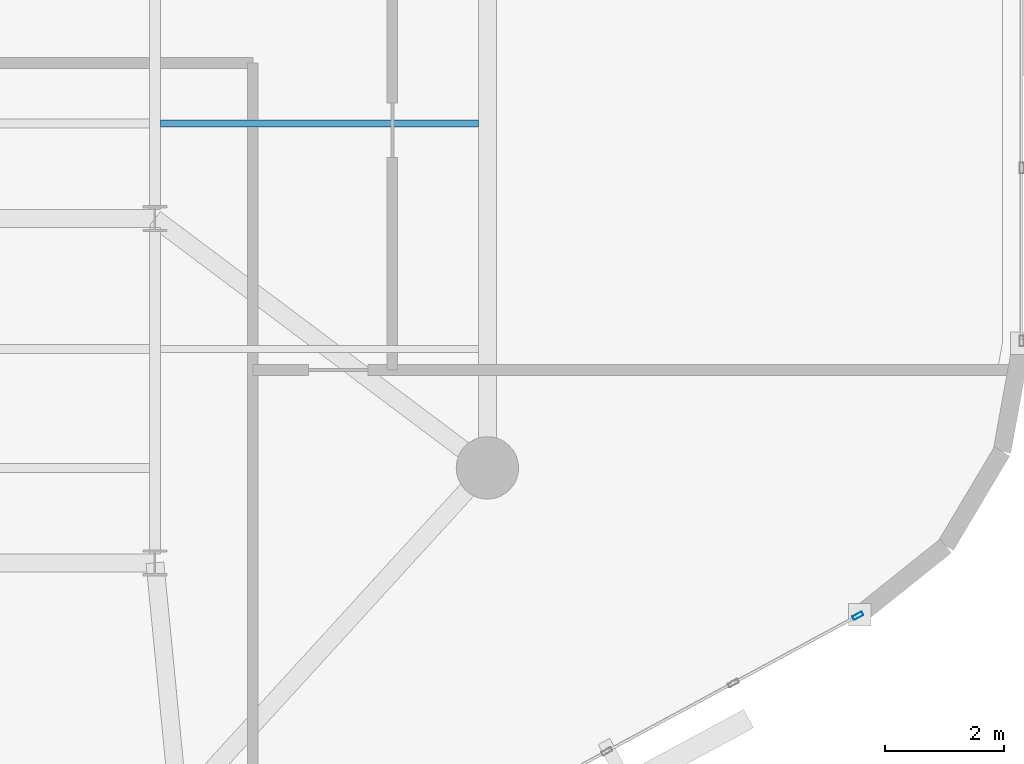
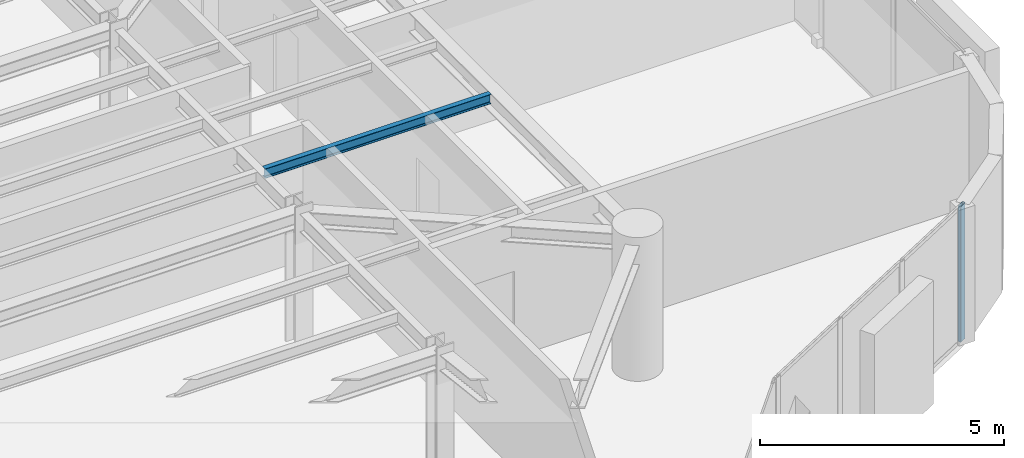
# One storey, part 3 of 13: 1 beam, 1 member, 1 element without a shape of its own.
"""IFC4 building model written with IfcOpenShell, lengths in metres."""

import ifcopenshell
import ifcopenshell.guid

model = None  # the IFC model being written
_history = None  # IfcOwnerHistory: only IFC2X3 demands one
_inside = {}  # id of a spatial element -> (the spatial element, [elements in it])
_under = {}  # id of a project, library or spatial element -> (it, [spatial elements below it])
_declared = {}  # id of a project -> (the project, [libraries it declares])
_typed = {}  # id of a type object -> (the type object, [elements of that type])
_made_of = {}  # id of a material, layer set ... -> (it, [elements and type objects made of it])


def new_model(schema):
    """Start an empty IFC model of exactly this schema.

    Asked for "IFC4X3", IfcOpenShell would pick the latest addendum, in which some entities
    have other attributes; the version numbers below select the first issue.
    IFC2X3 requires an IfcOwnerHistory on every rooted entity: one is made here for all.
    """
    global model, _history
    if schema == "IFC4X3":
        model = ifcopenshell.file(schema_version=(4, 3, 0, 0))
    else:
        model = ifcopenshell.file(schema=schema)
    _inside.clear()
    _under.clear()
    _declared.clear()
    _typed.clear()
    _made_of.clear()
    _history = None
    if model.schema == "IFC2X3":
        org = make("IfcOrganization", Name="unknown")
        user = make(
            "IfcPersonAndOrganization",
            ThePerson=make("IfcPerson", FamilyName="unknown"),
            TheOrganization=org,
        )
        app = make(
            "IfcApplication",
            ApplicationDeveloper=org,
            Version="unknown",
            ApplicationFullName="unknown",
            ApplicationIdentifier="unknown",
        )
        _history = make(
            "IfcOwnerHistory",
            OwningUser=user,
            OwningApplication=app,
            ChangeAction="ADDED",
            CreationDate=0,
        )
    return model


def make(cls, **values):
    """One entity of the class cls with the attributes given. An attribute that is None is left unset."""
    return model.create_entity(
        cls, **{name: value for name, value in values.items() if value is not None}
    )


def rooted(cls, **values):
    """An entity with a GlobalId (a new one), such as an element, a storey or a relation."""
    return make(cls, GlobalId=ifcopenshell.guid.new(), OwnerHistory=_history, **values)


def si_unit(unit_type, name, prefix=None):
    """IfcSIUnit, for example si_unit("LENGTHUNIT", "METRE", prefix="MILLI")."""
    return make("IfcSIUnit", UnitType=unit_type, Prefix=prefix, Name=name)


def assignment(units):
    """IfcUnitAssignment: the units of a project."""
    return None if units is None else make("IfcUnitAssignment", Units=units)


def point(xyz):
    """IfcCartesianPoint."""
    return None if xyz is None else make("IfcCartesianPoint", Coordinates=xyz)


def direction(xyz):
    """IfcDirection."""
    return None if xyz is None else make("IfcDirection", DirectionRatios=xyz)


def frame(location, z_axis=None, x_axis=None):
    """IfcAxis2Placement3D, a coordinate frame: its origin and axes. An axis left out is left unset."""
    return make(
        "IfcAxis2Placement3D",
        Location=point(location),
        Axis=direction(z_axis),
        RefDirection=direction(x_axis),
    )


def frame_2d(location, x_axis=None):
    """IfcAxis2Placement2D, a coordinate frame in the plane: its origin and x axis."""
    return make(
        "IfcAxis2Placement2D", Location=point(location), RefDirection=direction(x_axis)
    )


def origin():
    """The frame at (0, 0, 0) with its axes left unset."""
    return frame((0.0, 0.0, 0.0))


def origin_2d():
    """The frame at (0, 0) in the plane with its x axis left unset."""
    return frame_2d((0.0, 0.0))


def place(relative_to, where):
    """IfcLocalPlacement: puts the frame where relative to a parent placement (None: the world)."""
    return make(
        "IfcLocalPlacement", PlacementRelTo=relative_to, RelativePlacement=where
    )


def context(
    kind, dimensions, precision=None, world=None, true_north=None, identifier=None
):
    """IfcGeometricRepresentationContext, for example the 3D "Model" context."""
    return make(
        "IfcGeometricRepresentationContext",
        ContextIdentifier=identifier,
        ContextType=kind,
        CoordinateSpaceDimension=dimensions,
        Precision=precision,
        WorldCoordinateSystem=world,
        TrueNorth=true_north,
    )


def subcontext(parent, identifier, kind, view, scale=None):
    """IfcGeometricRepresentationSubContext, for example "Body" below "Model"."""
    return make(
        "IfcGeometricRepresentationSubContext",
        ContextIdentifier=identifier,
        ContextType=kind,
        ParentContext=parent,
        TargetScale=scale,
        TargetView=view,
    )


def project(units=None, contexts=None):
    """IfcProject with its units and contexts."""
    return rooted(
        "IfcProject",
        Name="project",
        RepresentationContexts=contexts,
        UnitsInContext=assignment(units),
    )


def spatial(cls, under=None, at=None, **own):
    """A site, building, storey or space (cls), placed at a placement, below another one or the project."""
    s = rooted(cls, ObjectPlacement=at, **own)
    if under is not None:
        _under.setdefault(under.id(), (under, []))[1].append(s)
    return s


def profile(cls, at=None, kind="AREA", **sizes):
    """A parametric profile (cls). Its sizes go by their IFC names, for example OverallWidth=200.0."""
    return make(cls, ProfileType=kind, Position=at, **sizes)


def hollow_rectangle(**sizes):
    """IfcRectangleHollowProfileDef."""
    return profile("IfcRectangleHollowProfileDef", **sizes)


def i_section(**sizes):
    """IfcIShapeProfileDef."""
    return profile("IfcIShapeProfileDef", **sizes)


def extrude(swept, where, along, depth):
    """IfcExtrudedAreaSolid: the profile swept, set in the frame where, extruded along a direction by depth."""
    return make(
        "IfcExtrudedAreaSolid",
        SweptArea=swept,
        Position=where,
        ExtrudedDirection=direction(along),
        Depth=depth,
    )


def shape(context_of_items, identifier, shape_type, items):
    """IfcShapeRepresentation: the items that make up one representation, for example the "Body"."""
    return make(
        "IfcShapeRepresentation",
        ContextOfItems=context_of_items,
        RepresentationIdentifier=identifier,
        RepresentationType=shape_type,
        Items=items,
    )


def material(Name=None, Category=None):
    """IfcMaterial."""
    return make("IfcMaterial", Name=Name, Category=Category)


def layer(
    of_material, thickness, ventilated=None, Name=None, Category=None, Priority=None
):
    """IfcMaterialLayer: one layer of a wall or slab, of a material (None: an air gap)."""
    return make(
        "IfcMaterialLayer",
        Material=of_material,
        LayerThickness=thickness,
        IsVentilated=ventilated,
        Name=Name,
        Category=Category,
        Priority=Priority,
    )


def layer_set(layers, Name=None):
    """IfcMaterialLayerSet."""
    return make("IfcMaterialLayerSet", MaterialLayers=layers, LayerSetName=Name)


def material_profile(
    of_material, cross_section, Name=None, Category=None, Priority=None
):
    """IfcMaterialProfile: a cross section and its material."""
    return make(
        "IfcMaterialProfile",
        Name=Name,
        Material=of_material,
        Profile=cross_section,
        Priority=Priority,
        Category=Category,
    )


def profile_set(profiles, Name=None, composite=None):
    """IfcMaterialProfileSet."""
    return make(
        "IfcMaterialProfileSet",
        Name=Name,
        MaterialProfiles=profiles,
        CompositeProfile=composite,
    )


def made_of(thing, what):
    """Note that an element or type object is made of a material, layer set ...; save() writes the relation."""
    if what is not None:
        _made_of.setdefault(what.id(), (what, []))[1].append(thing)
    return thing


def type_object(cls, material=None, **own):
    """A type object (cls), such as IfcWallType, which elements share."""
    return made_of(rooted(cls, **own), material)


def element(
    cls,
    number,
    at=None,
    inside=None,
    cuts=None,
    type_object=None,
    material=None,
    context=None,
    identifier="Body",
    shape_type=None,
    held_by="IfcProductDefinitionShape",
    body=None,
    shapes=None,
    **own,
):
    """One element of the class cls, such as IfcWall. Its Tag is "e" and its number.

    at: its placement. inside: the storey or other place that contains it. cuts: it is an
    opening in that element (IfcRelVoidsElement). A single representation is given by context,
    identifier, shape_type and body (its items); several are given by shapes. held_by: the class
    of the entity that holds the representations. save() writes the other relations.
    """
    e = rooted(cls, Tag="e%d" % number, ObjectPlacement=at, **own)
    if body is not None:
        shapes = [shape(context, identifier, shape_type, body)]
    if shapes is not None:
        e.Representation = make(held_by, Representations=shapes)
    if inside is not None:
        _inside.setdefault(inside.id(), (inside, []))[1].append(e)
    if cuts is not None:
        rooted(
            "IfcRelVoidsElement", RelatingBuildingElement=cuts, RelatedOpeningElement=e
        )
    if type_object is not None:
        _typed.setdefault(type_object.id(), (type_object, []))[1].append(e)
    return made_of(e, material)


def aggregate(whole, parts):
    """IfcRelAggregates: a whole, such as a stair, and the parts it consists of."""
    return rooted("IfcRelAggregates", RelatingObject=whole, RelatedObjects=parts)


def save(model, path):
    """Write the relations noted so far, then the file.

    IfcRelAggregates (storeys below a building ...), IfcRelContainedInSpatialStructure (elements
    in a storey), IfcRelDefinesByType, IfcRelAssociatesMaterial and IfcRelDeclares: one each for
    every whole, place, type object, material and project.
    """
    for whole, parts in _under.values():
        aggregate(whole, parts)
    for where, things in _inside.values():
        rooted(
            "IfcRelContainedInSpatialStructure",
            RelatedElements=things,
            RelatingStructure=where,
        )
    for kind, things in _typed.values():
        rooted("IfcRelDefinesByType", RelatedObjects=things, RelatingType=kind)
    for what, things in _made_of.values():
        rooted("IfcRelAssociatesMaterial", RelatedObjects=things, RelatingMaterial=what)
    for by, libraries in _declared.values():
        rooted("IfcRelDeclares", RelatingContext=by, RelatedDefinitions=libraries)
    model.write(path)


model = new_model("IFC4")

# Units and contexts
model_context = context("Model", 3, precision=1e-05, world=origin(), true_north=direction((0.0, 1.0)))
body_context = subcontext(model_context, "Body", "Model", "MODEL_VIEW")
ifc_project = project(units=[si_unit("LENGTHUNIT", "METRE"), si_unit("AREAUNIT", "SQUARE_METRE"), si_unit("VOLUMEUNIT", "CUBIC_METRE"), si_unit("PLANEANGLEUNIT", "RADIAN"), si_unit("MASSUNIT", "GRAM", prefix="KILO")], contexts=[model_context])

# Site, building, storey
site_placement = place(None, origin())
site = spatial("IfcSite", under=ifc_project, at=site_placement, CompositionType="ELEMENT")
building_placement = place(site_placement, origin())
building = spatial("IfcBuilding", under=site, at=building_placement, Name="An Khanh Terracotta Commons", CompositionType="ELEMENT")
storey_placement = place(building_placement, frame((0.0, 0.0, 233.699951171875)))
storey = spatial("IfcBuildingStorey", under=building, at=storey_placement, Name="L61", CompositionType="ELEMENT", Elevation=233.699951171875)

# Beam
ifc_material_1 = material(Name="Steel S355J2", Category="steel")
ifc_material_profile_1 = material_profile(ifc_material_1, i_section(OverallWidth=0.1201171875, OverallDepth=0.239990234375, WebThickness=0.006103515625, FlangeThickness=0.009765625, FilletRadius=0.014892578125, at=origin_2d()), Name="IPE240")
ifc_profile_set_1 = profile_set([ifc_material_profile_1], Name="Steel S355J2")
beam_type = type_object("IfcBeamType", Name="BM-IPE240", PredefinedType="JOIST", material=ifc_profile_set_1)
beam_placement = place(storey_placement, frame((54.094970703125, 21.800048828125, 3.280029296875), z_axis=(1.0, 0.0, 0.0), x_axis=(0.0, 1.0, 0.0)))
element("IfcBeam", 1, at=beam_placement, inside=storey, type_object=beam_type, Name="L61 Riverfront Composite Joist 3", PredefinedType="JOIST", context=body_context, shape_type="SweptSolid", body=[
    extrude(i_section(OverallWidth=0.1201171875, OverallDepth=0.239990234375, WebThickness=0.006103515625, FlangeThickness=0.009765625, FilletRadius=0.014892578125, at=origin_2d()), origin(), (0.0, 0.0, 1.0), 5.35498046875),
])

# Curtain wall, member
ifc_material_2 = material(Name="Anodised Aluminium 6063-T6", Category="aluminium")
ifc_layer = layer(ifc_material_2, 0.2099609375, Name="Anodised Aluminium 6063-T6")
ifc_layer_set = layer_set([ifc_layer], Name="Anodised Aluminium 6063-T6")
curtain_wall_type = type_object("IfcCurtainWallType", Name="CW-SYS-03", PredefinedType="USERDEFINED", material=ifc_layer_set)
curtain_wall_placement = place(storey_placement, origin())
curtain_wall = element("IfcCurtainWall", 2, at=curtain_wall_placement, inside=storey, type_object=curtain_wall_type, Name="L61 CW-03 Unitised Curtain Wall CW-L61-08", ObjectType="UNITISED CURTAIN WALL", PredefinedType="USERDEFINED")
ifc_material_profile_2 = material_profile(ifc_material_2, hollow_rectangle(XDim=0.070068359375, YDim=0.179931640625, WallThickness=0.00390625, InnerFilletRadius=0.00390625, OuterFilletRadius=0.008056640625, at=origin_2d()), Name="RHS180x70x4")
ifc_profile_set_2 = profile_set([ifc_material_profile_2], Name="Anodised Aluminium 6063-T6")
member_type = type_object("IfcMemberType", Name="CWM-RHS180x70x4", PredefinedType="MULLION", material=ifc_profile_set_2)
member_placement = place(storey_placement, frame((65.84130859375, 13.50927734375, 0.0), z_axis=(0.0, 0.0, 1.0), x_axis=(-0.47538088298, 0.879780095306, 0.0)))
member = element("IfcMember", 3, at=member_placement, type_object=member_type, Name="CW-03 mullion 5", PredefinedType="MULLION", context=body_context, shape_type="SweptSolid", body=[
    extrude(hollow_rectangle(XDim=0.070068359375, YDim=0.179931640625, WallThickness=0.00390625, InnerFilletRadius=0.00390625, OuterFilletRadius=0.008056640625, at=origin_2d()), origin(), (0.0, 0.0, 1.0), 3.400146484375),
])
aggregate(curtain_wall, [member])

save(model, "model.ifc")
